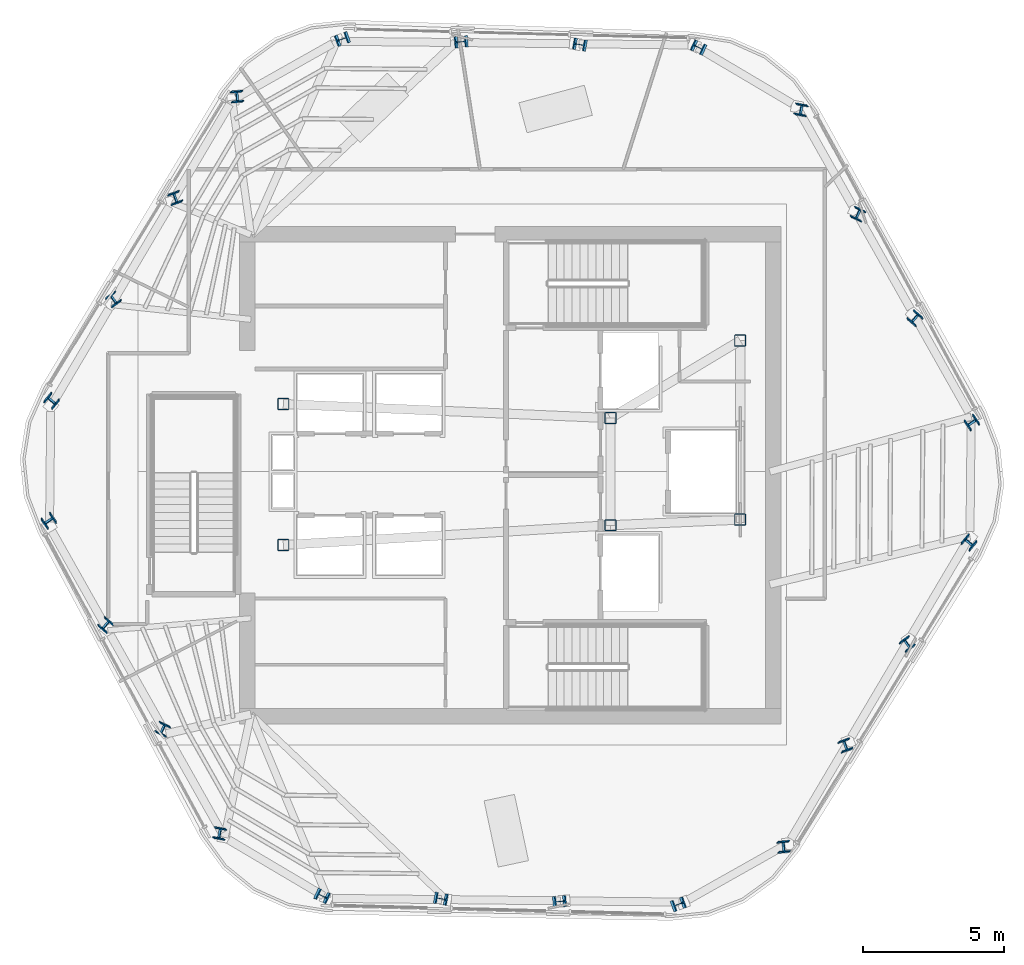
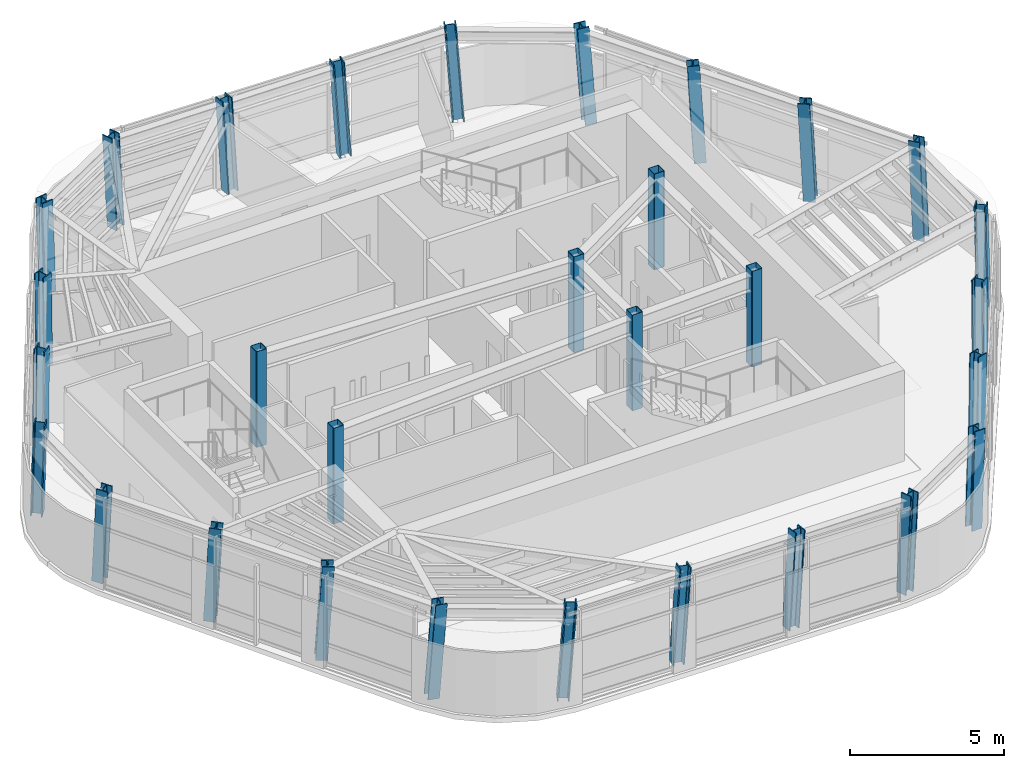
# One storey, part 1 of 13: 30 columns.
"""IFC4 building model written with IfcOpenShell, lengths in metres."""

from ifc_helpers import new_model, si_unit, direction, frame, origin, origin_2d, place, context, subcontext, project, spatial, hollow_rectangle, i_section, extrude, material, material_profile, profile_set, type_object, element, save


model = new_model("IFC4")

# Units and contexts
model_context = context("Model", 3, precision=1e-05, world=origin(), true_north=direction((0.0, 1.0)))
body_context = subcontext(model_context, "Body", "Model", "MODEL_VIEW")
ifc_project = project(units=[si_unit("LENGTHUNIT", "METRE"), si_unit("AREAUNIT", "SQUARE_METRE"), si_unit("VOLUMEUNIT", "CUBIC_METRE"), si_unit("PLANEANGLEUNIT", "RADIAN"), si_unit("MASSUNIT", "GRAM", prefix="KILO")], contexts=[model_context])

# Site, building, storey
site_placement = place(None, origin())
site = spatial("IfcSite", under=ifc_project, at=site_placement, CompositionType="ELEMENT")
building_placement = place(site_placement, origin())
building = spatial("IfcBuilding", under=site, at=building_placement, Name="Valkerne Bourse Tower", CompositionType="ELEMENT")
storey_placement = place(building_placement, frame((0.0, 0.0, 277.39990234375)))
storey = spatial("IfcBuildingStorey", under=building, at=storey_placement, Name="L70", CompositionType="ELEMENT", Elevation=277.39990234375)

# Columns
ifc_material_1 = material(Name="Steel ASTM A500 Grade C", Category="steel")
ifc_material_profile_1 = material_profile(ifc_material_1, hollow_rectangle(XDim=0.39990234375, YDim=0.39990234375, WallThickness=0.01611328125, OuterFilletRadius=0.031982421875, at=origin_2d()), Name="HSS400X400X16")
ifc_profile_set_1 = profile_set([ifc_material_profile_1], Name="Steel ASTM A500 Grade C")
column_type_1 = type_object("IfcColumnType", Name="COL-HSS400X400X16", PredefinedType="COLUMN", material=ifc_profile_set_1)
for number, where, z_axis, x_axis, name in (
    (1, (38.75, 24.39990234375, 0.005126953125), (0.0, 0.0, 1.0), (1.0, 0.0, 0.0), "L70 Core Frame Column CC-SW"),
    (2, (38.75, 29.39990234375, 0.005126953125), (0.0, 0.0, 1.0), (1.0, 0.0, 0.0), "L70 Core Frame Column CC-NW"),
    (3, (50.35009765625, 25.10009765625, 0.005126953125), (0.0, 0.0, 1.0), (1.0, 0.0, 0.0), "L70 Core Frame Column CC-CE1"),
    (4, (50.35009765625, 28.89990234375, 0.005126953125), (0.0, 0.0, 1.0), (1.0, 0.0, 0.0), "L70 Core Frame Column CC-CE2"),
    (5, (54.949951171875, 25.300048828125, 0.005126953125), (0.0, 0.0, 1.0), (1.0, 0.0, 0.0), "L70 Core Frame Column CC-SE"),
    (6, (54.949951171875, 31.64990234375, 0.005126953125), (0.0, 0.0, 1.0), (1.0, 0.0, 0.0), "L70 Core Frame Column CC-NE"),
):
    element("IfcColumn", number, at=place(storey_placement, frame(where, z_axis=z_axis, x_axis=x_axis)), inside=storey, type_object=column_type_1, Name=name, PredefinedType="COLUMN", context=body_context, shape_type="SweptSolid", body=[
        extrude(hollow_rectangle(XDim=0.39990234375, YDim=0.39990234375, WallThickness=0.01611328125, OuterFilletRadius=0.031982421875, at=origin_2d()), origin(), (0.0, 0.0, 1.0), 3.794921875),
    ])
ifc_material_2 = material(Name="Steel ASTM A913 Grade 65", Category="steel")
ifc_material_profile_2 = material_profile(ifc_material_2, i_section(OverallWidth=0.4013671875, OverallDepth=0.398681640625, WebThickness=0.02490234375, FlangeThickness=0.03955078125, FilletRadius=0.025390625, at=origin_2d()), Name="W14X211")
ifc_profile_set_2 = profile_set([ifc_material_profile_2], Name="Steel ASTM A913 Grade 65")
column_type_2 = type_object("IfcColumnType", Name="COL-W14X211", PredefinedType="COLUMN", material=ifc_profile_set_2)
column_1_placement = place(storey_placement, frame((53.513671875, 42.0283203125, 0.010009765625), z_axis=(-0.062487361533, 0.027314063186, 0.997671925836), x_axis=(0.424314006, 0.905513355772, 0.001785169689)))
element("IfcColumn", 7, at=column_1_placement, inside=storey, type_object=column_type_2, Name="L70 Helical Perimeter Tube Column F1-C1", PredefinedType="COLUMN", context=body_context, shape_type="SweptSolid", body=[
    extrude(i_section(OverallWidth=0.4013671875, OverallDepth=0.398681640625, WebThickness=0.02490234375, FlangeThickness=0.03955078125, FilletRadius=0.025390625, at=origin_2d()), origin(), (0.0, 0.0, 1.0), 3.789794921875),
])
for number, where, z_axis, x_axis, name in (
    (8, (49.302978515625, 42.138427734375, 0.010009765625), (-0.062828581543, 0.009859254334, 0.997975633192), (0.180780944515, 0.983521976665, 0.001664787142), "L70 Helical Perimeter Tube Column F1-C2"),
    (9, (45.092529296875, 42.248779296875, 0.010009765625), (-0.063150741374, -0.007603864778, 0.997975032305), (-0.093567128328, 0.995611580968, 0.001665033951), "L70 Helical Perimeter Tube Column F1-C3"),
):
    element("IfcColumn", number, at=place(storey_placement, frame(where, z_axis=z_axis, x_axis=x_axis)), inside=storey, type_object=column_type_2, Name=name, PredefinedType="COLUMN", context=body_context, shape_type="SweptSolid", body=[
        extrude(i_section(OverallWidth=0.4013671875, OverallDepth=0.398681640625, WebThickness=0.02490234375, FlangeThickness=0.03955078125, FilletRadius=0.025390625, at=origin_2d()), origin(), (0.0, 0.0, 1.0), 3.78857421875),
    ])
for number, where, z_axis, x_axis, name in (
    (10, (40.882080078125, 42.35888671875, 0.010009765625), (-0.063453648693, -0.02499493979, 0.997671733313), (-0.342075347635, 0.939670830369, 0.001785243415), "L70 Helical Perimeter Tube Column F1-C4"),
    (11, (37.14208984375, 40.328369140625, 0.010009765625), (-0.054950076009, -0.040455624541, 0.997669199479), (-0.994802180619, -0.083567990993, -0.058180858682), "L70 Helical Perimeter Tube Column F2-C1"),
):
    element("IfcColumn", number, at=place(storey_placement, frame(where, z_axis=z_axis, x_axis=x_axis)), inside=storey, type_object=column_type_2, Name=name, PredefinedType="COLUMN", context=body_context, shape_type="SweptSolid", body=[
        extrude(i_section(OverallWidth=0.4013671875, OverallDepth=0.398681640625, WebThickness=0.02490234375, FlangeThickness=0.03955078125, FilletRadius=0.025390625, at=origin_2d()), origin(), (0.0, 0.0, 1.0), 3.789794921875),
    ])
for number, where, z_axis, x_axis, name in (
    (12, (34.94140625, 36.737060546875, 0.010009765625), (-0.040016854582, -0.049489443348, 0.997972668136), (-0.94131427399, -0.333140667462, -0.054265396575), "L70 Helical Perimeter Tube Column F2-C2"),
    (13, (32.740478515625, 33.145751953125, 0.010009765625), (-0.025002502915, -0.058511011975, 0.997973615045), (-0.814829234497, -0.577156789225, -0.054252735042), "L70 Helical Perimeter Tube Column F2-C3"),
):
    element("IfcColumn", number, at=place(storey_placement, frame(where, z_axis=z_axis, x_axis=x_axis)), inside=storey, type_object=column_type_2, Name=name, PredefinedType="COLUMN", context=body_context, shape_type="SweptSolid", body=[
        extrude(i_section(OverallWidth=0.4013671875, OverallDepth=0.398681640625, WebThickness=0.02490234375, FlangeThickness=0.03955078125, FilletRadius=0.025390625, at=origin_2d()), origin(), (0.0, 0.0, 1.0), 3.78857421875),
    ])
for number, where, z_axis, x_axis, name in (
    (14, (30.539794921875, 29.55419921875, 0.010009765625), (-0.010049516545, -0.067447716813, 0.997672197024), (-0.642154940419, -0.764366645287, -0.058143478293), "L70 Helical Perimeter Tube Column F2-C4"),
    (15, (30.428466796875, 25.30029296875, 0.010009765625), (0.007537106866, -0.06783396179, 0.997668154071), (0.571063141988, -0.818711931701, -0.059980503112), "L70 Helical Perimeter Tube Column F3-C1"),
):
    element("IfcColumn", number, at=place(storey_placement, frame(where, z_axis=z_axis, x_axis=x_axis)), inside=storey, type_object=column_type_2, Name=name, PredefinedType="COLUMN", context=body_context, shape_type="SweptSolid", body=[
        extrude(i_section(OverallWidth=0.4013671875, OverallDepth=0.398681640625, WebThickness=0.02490234375, FlangeThickness=0.03955078125, FilletRadius=0.025390625, at=origin_2d()), origin(), (0.0, 0.0, 1.0), 3.789794921875),
    ])
for number, where, z_axis, x_axis, name in (
    (16, (32.438232421875, 21.5986328125, 0.010009765625), (0.02287603662, -0.059348816132, 0.997975152482), (0.760662820651, -0.646736098636, -0.055897155561), "L70 Helical Perimeter Tube Column F3-C2"),
    (17, (34.447998046875, 17.89697265625, 0.010009765625), (0.038148183943, -0.050907204925, 0.99797453502), (0.907780905462, -0.415702277904, -0.055905668985), "L70 Helical Perimeter Tube Column F3-C3"),
):
    element("IfcColumn", number, at=place(storey_placement, frame(where, z_axis=z_axis, x_axis=x_axis)), inside=storey, type_object=column_type_2, Name=name, PredefinedType="COLUMN", context=body_context, shape_type="SweptSolid", body=[
        extrude(i_section(OverallWidth=0.4013671875, OverallDepth=0.398681640625, WebThickness=0.02490234375, FlangeThickness=0.03955078125, FilletRadius=0.025390625, at=origin_2d()), origin(), (0.0, 0.0, 1.0), 3.78857421875),
    ])
for number, where, z_axis, x_axis, name in (
    (18, (36.457763671875, 14.1953125, 0.010009765625), (0.053404053378, -0.042452679344, 0.997670174506), (0.983258362742, -0.172071046119, -0.059954542655), "L70 Helical Perimeter Tube Column F3-C4"),
    (19, (40.086181640625, 11.9716796875, 0.010009765625), (0.062551529567, -0.027313953179, 0.997667907728), (0.423971580887, 0.905673730587, -0.001786707773), "L70 Helical Perimeter Tube Column F4-C1"),
):
    element("IfcColumn", number, at=place(storey_placement, frame(where, z_axis=z_axis, x_axis=x_axis)), inside=storey, type_object=column_type_2, Name=name, PredefinedType="COLUMN", context=body_context, shape_type="SweptSolid", body=[
        extrude(i_section(OverallWidth=0.4013671875, OverallDepth=0.398681640625, WebThickness=0.02490234375, FlangeThickness=0.03955078125, FilletRadius=0.025390625, at=origin_2d()), origin(), (0.0, 0.0, 1.0), 3.789794921875),
    ])
for number, where, z_axis, x_axis, name in (
    (20, (44.296875, 11.861572265625, 0.010009765625), (0.062828581543, -0.009859254334, 0.997975633192), (0.180780944515, 0.983521976665, -0.001664787142), "L70 Helical Perimeter Tube Column F4-C2"),
    (21, (48.50732421875, 11.751220703125, 0.010009765625), (0.063150741374, 0.007603864778, 0.997975032305), (-0.093567128328, 0.995611580968, -0.001665033951), "L70 Helical Perimeter Tube Column F4-C3"),
):
    element("IfcColumn", number, at=place(storey_placement, frame(where, z_axis=z_axis, x_axis=x_axis)), inside=storey, type_object=column_type_2, Name=name, PredefinedType="COLUMN", context=body_context, shape_type="SweptSolid", body=[
        extrude(i_section(OverallWidth=0.4013671875, OverallDepth=0.398681640625, WebThickness=0.02490234375, FlangeThickness=0.03955078125, FilletRadius=0.025390625, at=origin_2d()), origin(), (0.0, 0.0, 1.0), 3.78857421875),
    ])
for number, where, z_axis, x_axis, name in (
    (22, (52.718017578125, 11.64111328125, 0.010009765625), (0.063453648693, 0.02499493979, 0.997671733313), (-0.342075347635, 0.939670830369, -0.001785243415), "L70 Helical Perimeter Tube Column F4-C4"),
    (23, (56.4580078125, 13.671630859375, 0.010009765625), (0.0548858504, 0.040455767666, 0.997672729049), (-0.994757636933, -0.084126995999, 0.058136841232), "L70 Helical Perimeter Tube Column F5-C1"),
):
    element("IfcColumn", number, at=place(storey_placement, frame(where, z_axis=z_axis, x_axis=x_axis)), inside=storey, type_object=column_type_2, Name=name, PredefinedType="COLUMN", context=body_context, shape_type="SweptSolid", body=[
        extrude(i_section(OverallWidth=0.4013671875, OverallDepth=0.398681640625, WebThickness=0.02490234375, FlangeThickness=0.03955078125, FilletRadius=0.025390625, at=origin_2d()), origin(), (0.0, 0.0, 1.0), 3.789794921875),
    ])
for number, where, z_axis, x_axis, name in (
    (24, (58.65869140625, 17.262939453125, 0.010009765625), (0.040016854582, 0.049489443348, 0.997972668136), (-0.94131427399, -0.333140667462, 0.054265396575), "L70 Helical Perimeter Tube Column F5-C2"),
    (25, (60.859375, 20.854248046875, 0.010009765625), (0.025002502915, 0.058511011975, 0.997973615045), (-0.814829234497, -0.577156789225, 0.054252735042), "L70 Helical Perimeter Tube Column F5-C3"),
):
    element("IfcColumn", number, at=place(storey_placement, frame(where, z_axis=z_axis, x_axis=x_axis)), inside=storey, type_object=column_type_2, Name=name, PredefinedType="COLUMN", context=body_context, shape_type="SweptSolid", body=[
        extrude(i_section(OverallWidth=0.4013671875, OverallDepth=0.398681640625, WebThickness=0.02490234375, FlangeThickness=0.03955078125, FilletRadius=0.025390625, at=origin_2d()), origin(), (0.0, 0.0, 1.0), 3.78857421875),
    ])
for number, where, z_axis, x_axis, name in (
    (26, (63.060302734375, 24.44580078125, 0.010009765625), (0.010049516545, 0.067447716813, 0.997672197024), (-0.642154940419, -0.764366645287, 0.058143478293), "L70 Helical Perimeter Tube Column F5-C4"),
    (27, (63.171630859375, 28.69970703125, 0.010009765625), (-0.007601522876, 0.067833928713, 0.997667667595), (0.571830785228, -0.818175496232, 0.059986752127), "L70 Helical Perimeter Tube Column F6-C1"),
):
    element("IfcColumn", number, at=place(storey_placement, frame(where, z_axis=z_axis, x_axis=x_axis)), inside=storey, type_object=column_type_2, Name=name, PredefinedType="COLUMN", context=body_context, shape_type="SweptSolid", body=[
        extrude(i_section(OverallWidth=0.4013671875, OverallDepth=0.398681640625, WebThickness=0.02490234375, FlangeThickness=0.03955078125, FilletRadius=0.025390625, at=origin_2d()), origin(), (0.0, 0.0, 1.0), 3.789794921875),
    ])
for number, where, z_axis, x_axis, name in (
    (28, (61.161865234375, 32.4013671875, 0.010009765625), (-0.02287603662, 0.059348816132, 0.997975152482), (0.760662820651, -0.646736098636, 0.055897155561), "L70 Helical Perimeter Tube Column F6-C2"),
    (29, (59.152099609375, 36.10302734375, 0.010009765625), (-0.038148183943, 0.050907204925, 0.99797453502), (0.907780905462, -0.415702277904, 0.055905668985), "L70 Helical Perimeter Tube Column F6-C3"),
):
    element("IfcColumn", number, at=place(storey_placement, frame(where, z_axis=z_axis, x_axis=x_axis)), inside=storey, type_object=column_type_2, Name=name, PredefinedType="COLUMN", context=body_context, shape_type="SweptSolid", body=[
        extrude(i_section(OverallWidth=0.4013671875, OverallDepth=0.398681640625, WebThickness=0.02490234375, FlangeThickness=0.03955078125, FilletRadius=0.025390625, at=origin_2d()), origin(), (0.0, 0.0, 1.0), 3.78857421875),
    ])
column_2_placement = place(storey_placement, frame((57.14208984375, 39.8046875, 0.010009765625), z_axis=(-0.053404053378, 0.042452679344, 0.997670174506), x_axis=(0.983258362742, -0.172071046119, 0.059954542655)))
element("IfcColumn", 30, at=column_2_placement, inside=storey, type_object=column_type_2, Name="L70 Helical Perimeter Tube Column F6-C4", PredefinedType="COLUMN", context=body_context, shape_type="SweptSolid", body=[
    extrude(i_section(OverallWidth=0.4013671875, OverallDepth=0.398681640625, WebThickness=0.02490234375, FlangeThickness=0.03955078125, FilletRadius=0.025390625, at=origin_2d()), origin(), (0.0, 0.0, 1.0), 3.789794921875),
])

save(model, "model.ifc")
